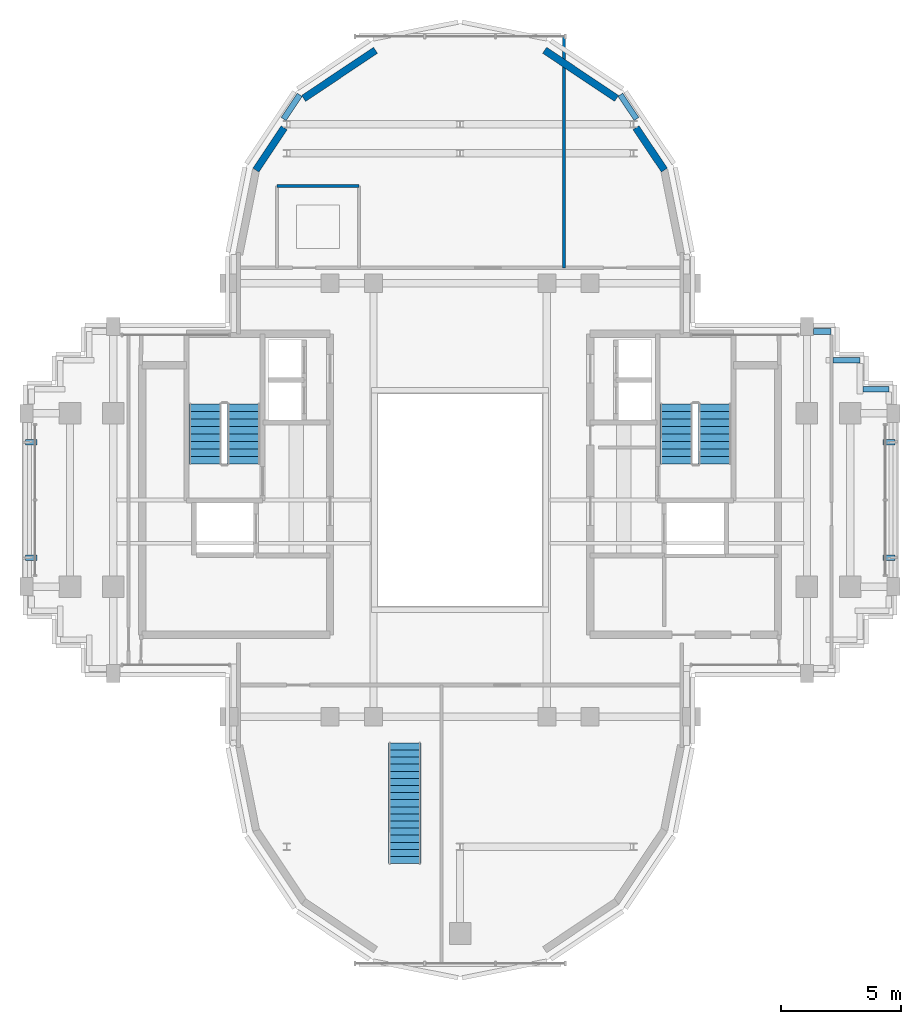
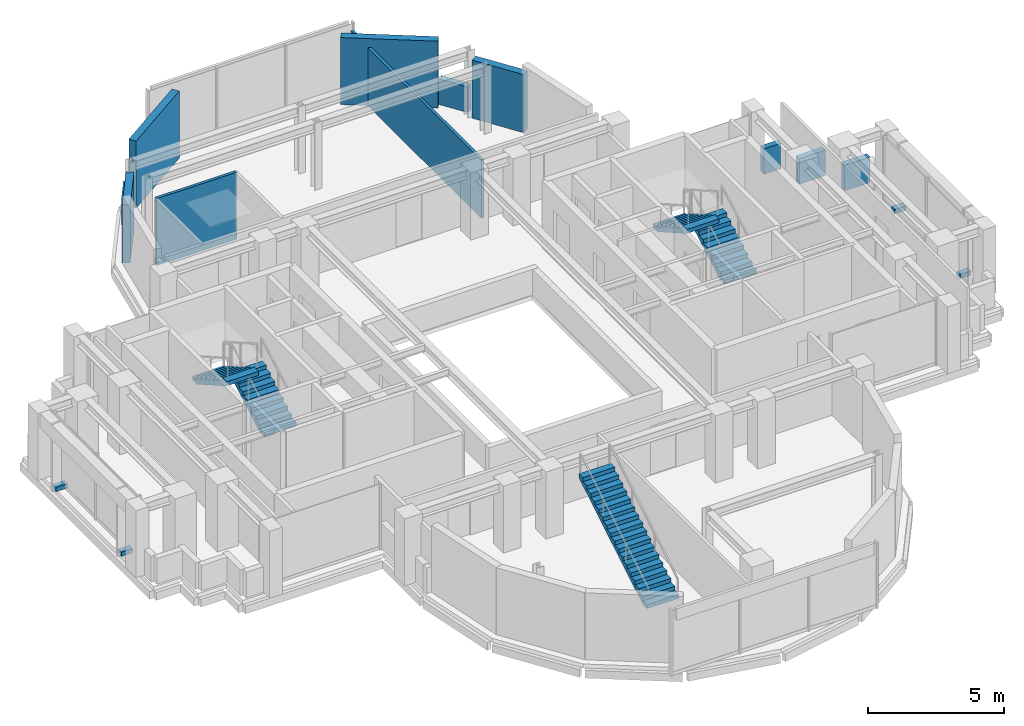
# One storey, part 10 of 12: 11 walls, 5 stair flights, 4 discrete accessories, 3 elements without a shape of their own.
"""IFC4 building model written with IfcOpenShell, lengths in metres."""

from ifc_helpers import new_model, si_unit, direction, frame, frame_2d, origin, origin_2d, place, context, subcontext, project, spatial, polyline, rectangle, outline, extrude, source, transform, mapped, material, layer, layer_set, type_object, element, aggregate, save


model = new_model("IFC4")

# Units and contexts
model_context = context("Model", 3, precision=1e-05, world=origin(), true_north=direction((0.0, 1.0)))
body_context = subcontext(model_context, "Body", "Model", "MODEL_VIEW")
ifc_project = project(units=[si_unit("LENGTHUNIT", "METRE"), si_unit("AREAUNIT", "SQUARE_METRE"), si_unit("VOLUMEUNIT", "CUBIC_METRE"), si_unit("PLANEANGLEUNIT", "RADIAN"), si_unit("MASSUNIT", "GRAM", prefix="KILO")], contexts=[model_context])

# Site, building, storey
site_placement = place(None, origin())
site = spatial("IfcSite", under=ifc_project, at=site_placement, CompositionType="ELEMENT")
building_placement = place(site_placement, origin())
building = spatial("IfcBuilding", under=site, at=building_placement, Name="Keilestroom Media Tower", CompositionType="ELEMENT")
storey_placement = place(building_placement, frame((0.0, 0.0, 239.60009765625)))
storey = spatial("IfcBuildingStorey", under=building, at=storey_placement, Name="L66", CompositionType="ELEMENT", Elevation=239.60009765625)

# Walls
ifc_material_1 = material(Name="Precast concrete C40/50", Category="concrete")
ifc_layer_1 = layer(ifc_material_1, 0.300048828125)
ifc_layer_set_1 = layer_set([ifc_layer_1], Name="Precast concrete C40/50")
wall_type_1 = type_object("IfcWallType", Name="Exterior-Masonry-Spandrel-Wall-300", PredefinedType="SOLIDWALL", material=ifc_layer_set_1)
wall_1_placement = place(storey_placement, frame((8.48193359375, 13.697509765625, 0.0), z_axis=(0.0, 0.0, 1.0), x_axis=(-0.555604299396, 0.831446848868, 0.0)))
element("IfcWall", 1, at=wall_1_placement, inside=storey, type_object=wall_type_1, Name="L66 Lobe Facet Precast Frame Wall 02", PredefinedType="SOLIDWALL", context=body_context, shape_type="SweptSolid", body=[
    extrude(rectangle(XDim=2.117919921875, YDim=0.300048828125, at=frame_2d((1.05908203125, 0.0))), origin(), (0.0, 0.0, 1.0), 2.60986328125),
])
for number, where, z_axis, x_axis, name in (
    (2, (6.497802734375, 16.677001953125, 0.0), (0.0, 0.0, 1.0), (-0.831443568068, 0.555609208993, 0.0), "L66 Lobe Facet Precast Frame Wall 03"),
    (3, (-3.510009765625, 18.673583984375, 0.0), (0.0, 0.0, 1.0), (-0.831443568068, -0.555609208993, 0.0), "L66 Lobe Facet Precast Frame Wall 04"),
):
    element("IfcWall", number, at=place(storey_placement, frame(where, z_axis=z_axis, x_axis=x_axis)), inside=storey, type_object=wall_type_1, Name=name, PredefinedType="SOLIDWALL", context=body_context, shape_type="SweptSolid", body=[
        extrude(rectangle(XDim=3.593505859375, YDim=0.300048828125, at=frame_2d((1.796875, 0.0))), origin(), (0.0, 0.0, 1.0), 3.010009765625),
    ])
wall_2_placement = place(storey_placement, frame((-7.30517578125, 15.45849609375, 0.0), z_axis=(0.0, 0.0, 1.0), x_axis=(-0.555604299396, -0.831446848868, 0.0)))
element("IfcWall", 4, at=wall_2_placement, inside=storey, type_object=wall_type_1, Name="L66 Lobe Facet Precast Frame Wall 05", PredefinedType="SOLIDWALL", context=body_context, shape_type="SweptSolid", body=[
    extrude(rectangle(XDim=2.117919921875, YDim=0.300048828125, at=frame_2d((1.05908203125, 0.0))), origin(), (0.0, 0.0, 1.0), 2.60986328125),
])
ifc_material_2 = material(Name="Gypsum Plasterboard & Steel Stud", Category="steel")
ifc_layer_2 = layer(ifc_material_2, 0.1201171875)
ifc_layer_set_2 = layer_set([ifc_layer_2], Name="Gypsum Plasterboard & Steel Stud")
wall_type_2 = type_object("IfcWallType", Name="Interior-Partition-Wall-120", PredefinedType="PARTITIONING", material=ifc_layer_set_2)
wall_3_placement = place(storey_placement, frame((4.320068359375, 9.639892578125, 0.0), z_axis=(0.0, 0.0, 1.0), x_axis=(0.0, 1.0, 0.0)))
element("IfcWall", 5, at=wall_3_placement, inside=storey, type_object=wall_type_2, Name="L66 Interior Wall WP-L66-NL-V1", PredefinedType="PARTITIONING", context=body_context, shape_type="SweptSolid", body=[
    extrude(rectangle(XDim=9.610107421875, YDim=0.1201171875, at=frame_2d((4.80517578125, 0.0))), origin(), (0.0, 0.0, 1.0), 2.60986328125),
])
wall_4_placement = place(storey_placement, frame((-7.60009765625, 13.0400390625, 0.0), z_axis=(0.0, 0.0, 1.0), x_axis=(1.0, 0.0, 0.0)))
element("IfcWall", 6, at=wall_4_placement, inside=storey, type_object=wall_type_2, Name="L66 Interior Wall WP-L66-NL-WC-N", PredefinedType="PARTITIONING", context=body_context, shape_type="SweptSolid", body=[
    extrude(rectangle(XDim=3.400146484375, YDim=0.1201171875, at=frame_2d((1.7001953125, 0.0))), origin(), (0.0, 0.0, 1.0), 3.010009765625),
])
ifc_layer_3 = layer(ifc_material_1, 0.239990234375)
ifc_layer_set_3 = layer_set([ifc_layer_3], Name="Precast concrete C40/50")
wall_type_3 = type_object("IfcWallType", Name="Roof-And-Terrace-Parapet-Wall-240", PredefinedType="PARAPET", material=ifc_layer_set_3)
for number, where, z_axis, x_axis, name in (
    (7, (-7.328125, 15.8203125, 0.0), (0.0, 0.0, 1.0), (0.555585388542, 0.831459485506, 0.0), "L66 Perimeter Edge Parapet Wall 27"),
    (8, (6.656494140625, 16.825439453125, 0.0), (0.0, 0.0, 1.0), (0.555585388542, -0.831459485506, 0.0), "L66 Perimeter Edge Parapet Wall 28"),
):
    element("IfcWall", number, at=place(storey_placement, frame(where, z_axis=z_axis, x_axis=x_axis)), inside=storey, type_object=wall_type_3, Name=name, PredefinedType="PARAPET", context=body_context, shape_type="SweptSolid", body=[
        extrude(rectangle(XDim=1.208984375, YDim=0.239990234375, at=frame_2d((0.6044921875, 0.0))), origin(), (0.0, 0.0, 1.0), 1.14990234375),
    ])
wall_5_placement = place(storey_placement, frame((14.677978515625, 7.0, 0.0), z_axis=(0.0, 0.0, 1.0), x_axis=(1.0, 0.0, 0.0)))
element("IfcWall", 9, at=wall_5_placement, inside=storey, type_object=wall_type_3, Name="L66 Perimeter Edge Parapet Wall 32", PredefinedType="PARAPET", context=body_context, shape_type="SweptSolid", body=[
    extrude(rectangle(XDim=0.721923828125, YDim=0.239990234375, at=frame_2d((0.36083984375, 0.0))), origin(), (0.0, 0.0, 1.0), 1.14990234375),
])
wall_6_placement = place(storey_placement, frame((15.492919921875, 5.800048828125, 0.0), z_axis=(0.0, 0.0, 1.0), x_axis=(1.0, 0.0, 0.0)))
element("IfcWall", 10, at=wall_6_placement, inside=storey, type_object=wall_type_3, Name="L66 Perimeter Edge Parapet Wall 34", PredefinedType="PARAPET", context=body_context, shape_type="SweptSolid", body=[
    extrude(rectangle(XDim=1.107177734375, YDim=0.239990234375, at=frame_2d((0.5537109375, 0.0))), origin(), (0.0, 0.0, 1.0), 1.14990234375),
])
wall_7_placement = place(storey_placement, frame((16.722900390625, 4.60009765625, 0.0), z_axis=(0.0, 0.0, 1.0), x_axis=(1.0, 0.0, 0.0)))
element("IfcWall", 11, at=wall_7_placement, inside=storey, type_object=wall_type_3, Name="L66 Perimeter Edge Parapet Wall 36", PredefinedType="PARAPET", context=body_context, shape_type="SweptSolid", body=[
    extrude(rectangle(XDim=1.0771484375, YDim=0.239990234375, at=frame_2d((0.53857421875, 0.0))), origin(), (0.0, 0.0, 1.0), 1.14990234375),
])

# Stair, stair flights
ifc_material_3 = material(Name="Concrete C45/55", Category="concrete")
stair_type_1 = type_object("IfcStairType", Name="Enclosed-Dog-Leg-Stair-ST-CORE", PredefinedType="HALF_TURN_STAIR", material=ifc_material_3)
stair_1_placement = place(storey_placement, origin())
stair_1 = element("IfcStair", 12, at=stair_1_placement, inside=storey, type_object=stair_type_1, Name="L66 West Core Escape Stair ST-1", PredefinedType="HALF_TURN_STAIR")
stair_flight_type_1 = type_object("IfcStairFlightType", Name="Precast-Concrete-Stair-Flight-Core-160", PredefinedType="STRAIGHT", material=ifc_material_1)
stair_flight_1_placement = place(storey_placement, frame((-8.97998046875, 1.5, 0.0), z_axis=(0.0, 0.0, 1.0), x_axis=(0.0, 1.0, 0.0)))
stair_flight_1 = element("IfcStairFlight", 13, at=stair_flight_1_placement, type_object=stair_flight_type_1, Name="ST-1 flight 1", NumberOfRisers=9, NumberOfTreads=8, PredefinedType="STRAIGHT", RiserHeight=0.177777778, TreadLength=0.312, context=body_context, shape_type="SweptSolid", body=[
    extrude(outline(polyline([(0.0, 0.0), (0.0, 0.177734375), (0.31201171875, 0.177734375), (0.31201171875, 0.35546875), (0.6240234375, 0.35546875), (0.6240234375, 0.533447265625), (0.93603515625, 0.533447265625), (0.93603515625, 0.711181640625), (1.248046875, 0.711181640625), (1.248046875, 0.888916015625), (1.56005859375, 0.888916015625), (1.56005859375, 1.066650390625), (1.8720703125, 1.066650390625), (1.8720703125, 1.244384765625), (2.18408203125, 1.244384765625), (2.18408203125, 1.422119140625), (2.49609375, 1.422119140625), (2.49609375, 1.60009765625), (2.49609375, 1.23828125), (0.322998046875, 0.0), (0.0, 0.0)])), frame((0.0, 0.68017578125, 0.0), z_axis=(0.0, -1.0, 0.0), x_axis=(1.0, 0.0, 0.0)), (0.0, 0.0, 1.0), 1.360107421875),
])
stair_flight_2_placement = place(storey_placement, frame((-10.580078125, 3.99609375, 1.599853515625), z_axis=(0.0, 0.0, 1.0), x_axis=(0.0, -1.0, 0.0)))
stair_flight_2 = element("IfcStairFlight", 14, at=stair_flight_2_placement, type_object=stair_flight_type_1, Name="ST-1 flight 2", NumberOfRisers=9, NumberOfTreads=8, PredefinedType="STRAIGHT", RiserHeight=0.177777778, TreadLength=0.312, context=body_context, shape_type="SweptSolid", body=[
    extrude(outline(polyline([(0.0, 0.0), (0.0, 0.177734375), (0.31201171875, 0.177734375), (0.31201171875, 0.35546875), (0.6240234375, 0.35546875), (0.6240234375, 0.533447265625), (0.93603515625, 0.533447265625), (0.93603515625, 0.711181640625), (1.248046875, 0.711181640625), (1.248046875, 0.888916015625), (1.56005859375, 0.888916015625), (1.56005859375, 1.066650390625), (1.8720703125, 1.066650390625), (1.8720703125, 1.244384765625), (2.18408203125, 1.244384765625), (2.18408203125, 1.422119140625), (2.49609375, 1.422119140625), (2.49609375, 1.60009765625), (2.49609375, 1.23828125), (0.322998046875, 0.0), (0.0, 0.0)])), frame((0.0, 0.68017578125, 0.0), z_axis=(0.0, -1.0, 0.0), x_axis=(1.0, 0.0, 0.0)), (0.0, 0.0, 1.0), 1.360107421875),
])
aggregate(stair_1, [stair_flight_1, stair_flight_2])

stair_2_placement = place(storey_placement, origin())
stair_2 = element("IfcStair", 15, at=stair_2_placement, inside=storey, type_object=stair_type_1, Name="L66 East Core Escape Stair ST-2", PredefinedType="HALF_TURN_STAIR")
stair_flight_3_placement = place(storey_placement, frame((10.580078125, 1.5, 0.0), z_axis=(0.0, 0.0, 1.0), x_axis=(0.0, 1.0, 0.0)))
stair_flight_3 = element("IfcStairFlight", 16, at=stair_flight_3_placement, type_object=stair_flight_type_1, Name="ST-2 flight 1", NumberOfRisers=9, NumberOfTreads=8, PredefinedType="STRAIGHT", RiserHeight=0.177777778, TreadLength=0.312, context=body_context, shape_type="SweptSolid", body=[
    extrude(outline(polyline([(0.0, 0.0), (0.0, 0.177734375), (0.31201171875, 0.177734375), (0.31201171875, 0.35546875), (0.6240234375, 0.35546875), (0.6240234375, 0.533447265625), (0.93603515625, 0.533447265625), (0.93603515625, 0.711181640625), (1.248046875, 0.711181640625), (1.248046875, 0.888916015625), (1.56005859375, 0.888916015625), (1.56005859375, 1.066650390625), (1.8720703125, 1.066650390625), (1.8720703125, 1.244384765625), (2.18408203125, 1.244384765625), (2.18408203125, 1.422119140625), (2.49609375, 1.422119140625), (2.49609375, 1.60009765625), (2.49609375, 1.23828125), (0.322998046875, 0.0), (0.0, 0.0)])), frame((0.0, 0.68017578125, 0.0), z_axis=(0.0, -1.0, 0.0), x_axis=(1.0, 0.0, 0.0)), (0.0, 0.0, 1.0), 1.360107421875),
])
stair_flight_4_placement = place(storey_placement, frame((8.97998046875, 3.99609375, 1.599853515625), z_axis=(0.0, 0.0, 1.0), x_axis=(0.0, -1.0, 0.0)))
stair_flight_4 = element("IfcStairFlight", 17, at=stair_flight_4_placement, type_object=stair_flight_type_1, Name="ST-2 flight 2", NumberOfRisers=9, NumberOfTreads=8, PredefinedType="STRAIGHT", RiserHeight=0.177777778, TreadLength=0.312, context=body_context, shape_type="SweptSolid", body=[
    extrude(outline(polyline([(0.0, 0.0), (0.0, 0.177734375), (0.31201171875, 0.177734375), (0.31201171875, 0.35546875), (0.6240234375, 0.35546875), (0.6240234375, 0.533447265625), (0.93603515625, 0.533447265625), (0.93603515625, 0.711181640625), (1.248046875, 0.711181640625), (1.248046875, 0.888916015625), (1.56005859375, 0.888916015625), (1.56005859375, 1.066650390625), (1.8720703125, 1.066650390625), (1.8720703125, 1.244384765625), (2.18408203125, 1.244384765625), (2.18408203125, 1.422119140625), (2.49609375, 1.422119140625), (2.49609375, 1.60009765625), (2.49609375, 1.23828125), (0.322998046875, 0.0), (0.0, 0.0)])), frame((0.0, 0.68017578125, 0.0), z_axis=(0.0, -1.0, 0.0), x_axis=(1.0, 0.0, 0.0)), (0.0, 0.0, 1.0), 1.360107421875),
])
aggregate(stair_2, [stair_flight_3, stair_flight_4])

# Stair, stair flight
ifc_material_4 = material(Name="Steel S355", Category="steel")
stair_type_2 = type_object("IfcStairType", Name="Inter-Floor-Feature-Stair-ST-FEAT", PredefinedType="STRAIGHT_RUN_STAIR", material=ifc_material_4)
stair_3_placement = place(storey_placement, origin())
stair_3 = element("IfcStair", 18, at=stair_3_placement, inside=storey, type_object=stair_type_2, Name="L66-L67 Atrium Feature Stair ST-F3", PredefinedType="STRAIGHT_RUN_STAIR")
stair_flight_type_2 = type_object("IfcStairFlightType", Name="Steel-Feature-Stair-Flight-160", PredefinedType="STRAIGHT", material=ifc_material_4)
stair_flight_5_placement = place(storey_placement, frame((-2.300048828125, -15.10009765625, 0.0), z_axis=(0.0, 0.0, 1.0), x_axis=(0.0, 1.0, 0.0)))
stair_flight_5 = element("IfcStairFlight", 19, at=stair_flight_5_placement, type_object=stair_flight_type_2, Name="ST-F3 Straight Feature Flight", NumberOfRisers=18, NumberOfTreads=17, PredefinedType="STRAIGHT", RiserHeight=0.177778, TreadLength=0.295, context=body_context, shape_type="SweptSolid", body=[
    extrude(outline(polyline([(0.0, 0.0), (0.0, 0.177734375), (0.294921875, 0.177734375), (0.294921875, 0.35546875), (0.590087890625, 0.35546875), (0.590087890625, 0.533447265625), (0.885009765625, 0.533447265625), (0.885009765625, 0.711181640625), (1.179931640625, 0.711181640625), (1.179931640625, 0.888916015625), (1.47509765625, 0.888916015625), (1.47509765625, 1.066650390625), (1.77001953125, 1.066650390625), (1.77001953125, 1.244384765625), (2.06494140625, 1.244384765625), (2.06494140625, 1.422119140625), (2.360107421875, 1.422119140625), (2.360107421875, 1.60009765625), (2.655029296875, 1.60009765625), (2.655029296875, 1.77783203125), (2.949951171875, 1.77783203125), (2.949951171875, 1.95556640625), (3.2451171875, 1.95556640625), (3.2451171875, 2.13330078125), (3.5400390625, 2.13330078125), (3.5400390625, 2.31103515625), (3.8349609375, 2.31103515625), (3.8349609375, 2.489013671875), (4.1298828125, 2.489013671875), (4.1298828125, 2.666748046875), (4.425048828125, 2.666748046875), (4.425048828125, 2.844482421875), (4.719970703125, 2.844482421875), (4.719970703125, 3.022216796875), (5.014892578125, 3.022216796875), (5.014892578125, 3.199951171875), (5.014892578125, 2.83544921875), (0.309814453125, 0.0), (0.0, 0.0)])), frame((0.0, 0.675048828125, 0.0), z_axis=(0.0, -1.0, 0.0), x_axis=(1.0, 0.0, 0.0)), (0.0, 0.0, 1.0), 1.35009765625),
])
aggregate(stair_3, [stair_flight_5])

# Discrete accessories
ifc_material_5 = material(Name="Stainless Steel 1.4401", Category="steel")
discrete_accessory_type = type_object("IfcDiscreteAccessoryType", Name="Facade-Fin-Fixing-Bracket-BRK-1", PredefinedType="BRACKET", material=ifc_material_5)
shared_shape = source(origin(), body_context, "Body", "SweptSolid", [
    extrude(rectangle(XDim=0.47998046875, YDim=0.239990234375, at=origin_2d()), origin(), (0.0, 0.0, 1.0), 0.199951171875),
])
for number, where, z_axis, x_axis, name in (
    (20, (-17.81005859375, -2.39990234375, -0.01025390625), (0.0, 0.0, 1.0), (1.0, 0.0, 0.0), "L66 Sunshade Fin Bracket BRK-1 101"),
    (21, (-17.81005859375, 2.39990234375, -0.01025390625), (0.0, 0.0, 1.0), (1.0, 0.0, 0.0), "L66 Sunshade Fin Bracket BRK-1 102"),
    (22, (17.81005859375, -2.39990234375, -0.01025390625), (0.0, 0.0, 1.0), (1.0, 0.0, 0.0), "L66 Sunshade Fin Bracket BRK-1 103"),
    (23, (17.81005859375, 2.39990234375, -0.01025390625), (0.0, 0.0, 1.0), (1.0, 0.0, 0.0), "L66 Sunshade Fin Bracket BRK-1 104"),
):
    element("IfcDiscreteAccessory", number, at=place(storey_placement, frame(where, z_axis=z_axis, x_axis=x_axis)), inside=storey, type_object=discrete_accessory_type, Name=name, PredefinedType="BRACKET", context=body_context, shape_type="MappedRepresentation", body=[
        mapped(shared_shape, transform((0.0, 0.0, 0.0), x_axis=(1.0, 0.0, 0.0), y_axis=(0.0, 1.0, 0.0), z_axis=(0.0, 0.0, 1.0), scale=1.0)),
    ])

save(model, "model.ifc")
